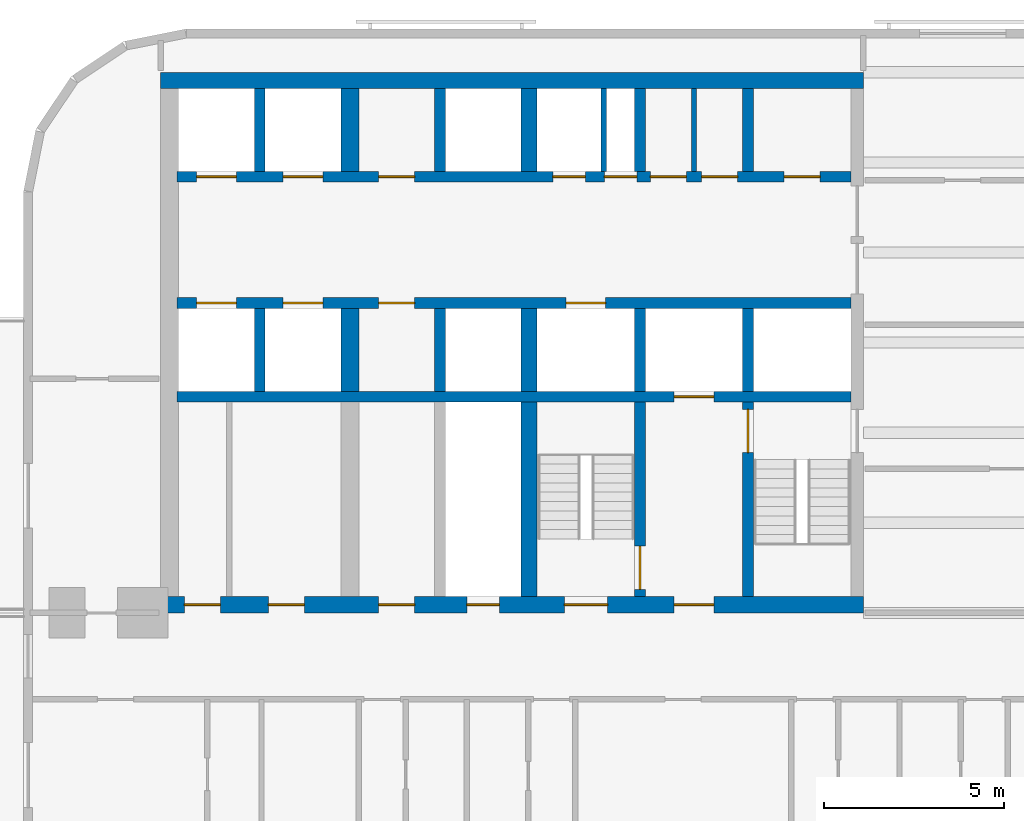
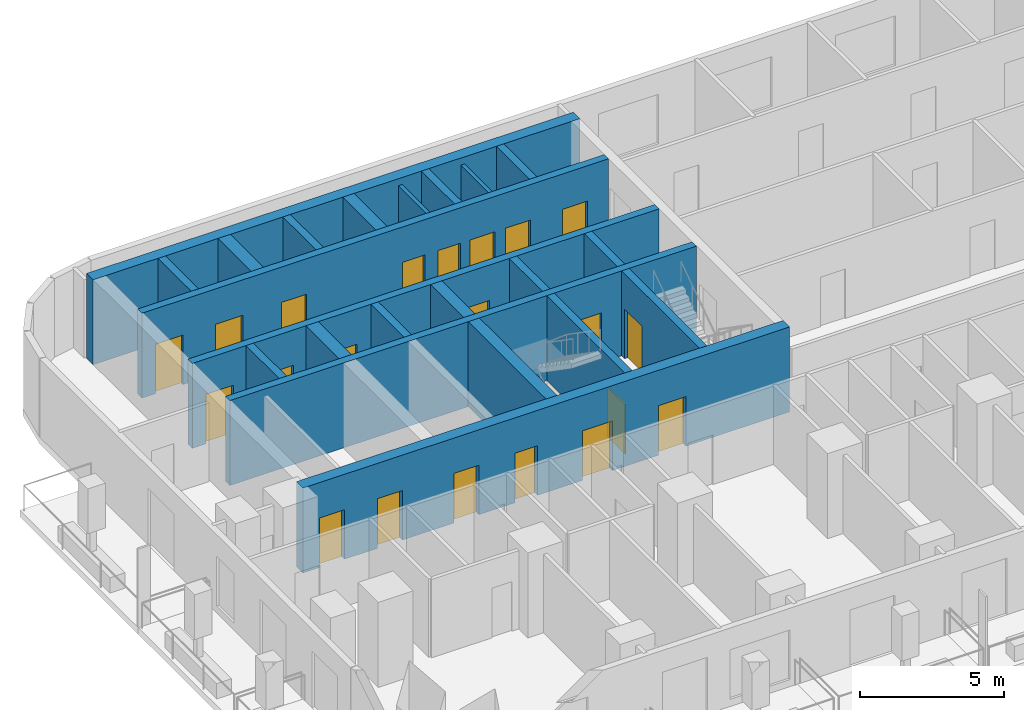
# One storey, part 3 of 13: 22 walls, 21 doors, 21 openings.
"""IFC4 building model written with IfcOpenShell, lengths in metres."""

from ifc_helpers import new_model, si_unit, direction, frame, frame_2d, origin, place, context, subcontext, project, spatial, rectangle, extrude, material, layer, layer_set, type_object, element, fill, save


model = new_model("IFC4")

# Units and contexts
model_context = context("Model", 3, precision=1e-05, world=origin(), true_north=direction((0.0, 1.0)))
body_context = subcontext(model_context, "Body", "Model", "MODEL_VIEW")
ifc_project = project(units=[si_unit("LENGTHUNIT", "METRE"), si_unit("AREAUNIT", "SQUARE_METRE"), si_unit("VOLUMEUNIT", "CUBIC_METRE"), si_unit("PLANEANGLEUNIT", "RADIAN"), si_unit("MASSUNIT", "GRAM", prefix="KILO")], contexts=[model_context])

# Site, building, storey
site_placement = place(None, origin())
site = spatial("IfcSite", under=ifc_project, at=site_placement, CompositionType="ELEMENT")
building_placement = place(site_placement, origin())
building = spatial("IfcBuilding", under=site, at=building_placement, Name="Torana Hotel and Residences", CompositionType="ELEMENT")
storey_placement = place(building_placement, frame((0.0, 0.0, 81.60009765625)))
storey = spatial("IfcBuildingStorey", under=building, at=storey_placement, Name="L20", CompositionType="ELEMENT", Elevation=81.60009765625)

# Wall, openings, doors
ifc_material_1 = material(Name="Concrete C80/95", Category="concrete")
ifc_layer_1 = layer(ifc_material_1, 0.300048828125)
ifc_layer_set_1 = layer_set([ifc_layer_1], Name="CORE WALL 300 C80/95")
wall_type_1 = type_object("IfcWallType", Name="CORE WALL 300 C80/95", PredefinedType="SHEAR", material=ifc_layer_set_1)
wall_1_placement = place(storey_placement, frame((-29.050048828125, -2.89990234375, 0.0), z_axis=(0.0, 0.0, 1.0), x_axis=(1.0, 0.0, 0.0)))
wall_1 = element("IfcWall", 1, at=wall_1_placement, inside=storey, type_object=wall_type_1, Name="Core wall W row-N", PredefinedType="SHEAR", context=body_context, shape_type="SweptSolid", body=[
    extrude(rectangle(XDim=18.699951171875, YDim=0.300048828125, at=frame_2d((9.35009765625, 0.0))), origin(), (0.0, 0.0, 1.0), 3.599853515625),
])
opening_1_placement = place(wall_1_placement, frame((2.949951171875, 0.0, 0.0)))
opening_1 = element("IfcOpeningElement", 2, at=opening_1_placement, cuts=wall_1, Name="Opening LD", PredefinedType="OPENING", context=body_context, shape_type="SweptSolid", body=[
    extrude(rectangle(XDim=1.10009765625, YDim=2.10009765625, at=frame_2d((0.550048828125, 1.050048828125))), frame((0.0, 0.159912109375, 0.0), z_axis=(0.0, -1.0, 0.0), x_axis=(1.0, 0.0, 0.0)), (0.0, 0.0, 1.0), 0.320068359375),
])
opening_2_placement = place(wall_1_placement, frame((0.550048828125, 0.0, 0.0)))
opening_2 = element("IfcOpeningElement", 3, at=opening_2_placement, cuts=wall_1, Name="Opening LD", PredefinedType="OPENING", context=body_context, shape_type="SweptSolid", body=[
    extrude(rectangle(XDim=1.10009765625, YDim=2.10009765625, at=frame_2d((0.550048828125, 1.050048828125))), frame((0.0, 0.159912109375, 0.0), z_axis=(0.0, -1.0, 0.0), x_axis=(1.0, 0.0, 0.0)), (0.0, 0.0, 1.0), 0.320068359375),
])
opening_3_placement = place(wall_1_placement, frame((11.862548828125, 0.0, 0.0)))
opening_3 = element("IfcOpeningElement", 4, at=opening_3_placement, cuts=wall_1, Name="Opening L20-10", PredefinedType="OPENING", context=body_context, shape_type="SweptSolid", body=[
    extrude(rectangle(XDim=0.89990234375, YDim=2.10009765625, at=frame_2d((0.449951171875, 1.050048828125))), frame((0.0, 0.159912109375, 0.0), z_axis=(0.0, -1.0, 0.0), x_axis=(1.0, 0.0, 0.0)), (0.0, 0.0, 1.0), 0.320068359375),
])
opening_4_placement = place(wall_1_placement, frame((10.4375, 0.0, 0.0)))
opening_4 = element("IfcOpeningElement", 5, at=opening_4_placement, cuts=wall_1, Name="Opening L20-11", PredefinedType="OPENING", context=body_context, shape_type="SweptSolid", body=[
    extrude(rectangle(XDim=0.89990234375, YDim=2.10009765625, at=frame_2d((0.449951171875, 1.050048828125))), frame((0.0, 0.159912109375, 0.0), z_axis=(0.0, -1.0, 0.0), x_axis=(1.0, 0.0, 0.0)), (0.0, 0.0, 1.0), 0.320068359375),
])
opening_5_placement = place(wall_1_placement, frame((16.85009765625, 0.0, 0.0)))
opening_5 = element("IfcOpeningElement", 6, at=opening_5_placement, cuts=wall_1, Name="Opening L20-12", PredefinedType="OPENING", context=body_context, shape_type="SweptSolid", body=[
    extrude(rectangle(XDim=1.0, YDim=2.10009765625, at=frame_2d((0.5, 1.050048828125))), frame((0.0, 0.159912109375, 0.0), z_axis=(0.0, -1.0, 0.0), x_axis=(1.0, 0.0, 0.0)), (0.0, 0.0, 1.0), 0.320068359375),
])
opening_6_placement = place(wall_1_placement, frame((14.5625, 0.0, 0.0)))
opening_6 = element("IfcOpeningElement", 7, at=opening_6_placement, cuts=wall_1, Name="Opening L20-13", PredefinedType="OPENING", context=body_context, shape_type="SweptSolid", body=[
    extrude(rectangle(XDim=1.0, YDim=2.10009765625, at=frame_2d((0.5, 1.050048828125))), frame((0.0, 0.159912109375, 0.0), z_axis=(0.0, -1.0, 0.0), x_axis=(1.0, 0.0, 0.0)), (0.0, 0.0, 1.0), 0.320068359375),
])
opening_7_placement = place(wall_1_placement, frame((13.137451171875, 0.0, 0.0)))
opening_7 = element("IfcOpeningElement", 8, at=opening_7_placement, cuts=wall_1, Name="Opening L20-14", PredefinedType="OPENING", context=body_context, shape_type="SweptSolid", body=[
    extrude(rectangle(XDim=1.0, YDim=2.10009765625, at=frame_2d((0.5, 1.050048828125))), frame((0.0, 0.159912109375, 0.0), z_axis=(0.0, -1.0, 0.0), x_axis=(1.0, 0.0, 0.0)), (0.0, 0.0, 1.0), 0.320068359375),
])
opening_8_placement = place(wall_1_placement, frame((5.60009765625, 0.0, 0.0)))
opening_8 = element("IfcOpeningElement", 9, at=opening_8_placement, cuts=wall_1, Name="Opening L20-15", PredefinedType="OPENING", context=body_context, shape_type="SweptSolid", body=[
    extrude(rectangle(XDim=1.0, YDim=2.10009765625, at=frame_2d((0.5, 1.050048828125))), frame((0.0, 0.159912109375, 0.0), z_axis=(0.0, -1.0, 0.0), x_axis=(1.0, 0.0, 0.0)), (0.0, 0.0, 1.0), 0.320068359375),
])
ifc_material_2 = material(Name="Steel S235", Category="steel")
door_type_1 = type_object("IfcDoorType", Name="CORE ROOM FIRE DOOR D14 1000x2100", OperationType="SINGLE_SWING_LEFT", PredefinedType="DOOR", material=ifc_material_2)
door_1_placement = place(opening_5_placement, origin())
door_1 = element("IfcDoor", 10, at=door_1_placement, inside=storey, type_object=door_type_1, Name="N0 door L20", OperationType="SINGLE_SWING_RIGHT", OverallHeight=2.10009765625, OverallWidth=1.0, PredefinedType="DOOR", context=body_context, shape_type="SweptSolid", body=[
    extrude(rectangle(XDim=1.0, YDim=2.10009765625, at=frame_2d((0.5, 1.050048828125))), frame((0.0, 0.02490234375, 0.0), z_axis=(0.0, -1.0, 0.0), x_axis=(1.0, 0.0, 0.0)), (0.0, 0.0, 1.0), 0.050048828125),
])
fill(opening_5, door_1)
door_2_placement = place(opening_6_placement, origin())
door_2 = element("IfcDoor", 11, at=door_2_placement, inside=storey, type_object=door_type_1, Name="N1A door L20", OperationType="SINGLE_SWING_RIGHT", OverallHeight=2.10009765625, OverallWidth=1.0, PredefinedType="DOOR", context=body_context, shape_type="SweptSolid", body=[
    extrude(rectangle(XDim=1.0, YDim=2.10009765625, at=frame_2d((0.5, 1.050048828125))), frame((0.0, 0.02490234375, 0.0), z_axis=(0.0, -1.0, 0.0), x_axis=(1.0, 0.0, 0.0)), (0.0, 0.0, 1.0), 0.050048828125),
])
fill(opening_6, door_2)
door_3_placement = place(opening_7_placement, origin())
door_3 = element("IfcDoor", 12, at=door_3_placement, inside=storey, type_object=door_type_1, Name="N1B door L20", OperationType="SINGLE_SWING_RIGHT", OverallHeight=2.10009765625, OverallWidth=1.0, PredefinedType="DOOR", context=body_context, shape_type="SweptSolid", body=[
    extrude(rectangle(XDim=1.0, YDim=2.10009765625, at=frame_2d((0.5, 1.050048828125))), frame((0.0, 0.02490234375, 0.0), z_axis=(0.0, -1.0, 0.0), x_axis=(1.0, 0.0, 0.0)), (0.0, 0.0, 1.0), 0.050048828125),
])
fill(opening_7, door_3)
door_4_placement = place(opening_8_placement, origin())
door_4 = element("IfcDoor", 13, at=door_4_placement, inside=storey, type_object=door_type_1, Name="Free-M1 door L20", OperationType="SINGLE_SWING_RIGHT", OverallHeight=2.10009765625, OverallWidth=1.0, PredefinedType="DOOR", context=body_context, shape_type="SweptSolid", body=[
    extrude(rectangle(XDim=1.0, YDim=2.10009765625, at=frame_2d((0.5, 1.050048828125))), frame((0.0, 0.02490234375, 0.0), z_axis=(0.0, -1.0, 0.0), x_axis=(1.0, 0.0, 0.0)), (0.0, 0.0, 1.0), 0.050048828125),
])
fill(opening_8, door_4)
ifc_material_3 = material(Name="Stainless steel 316", Category="steel")
door_type_2 = type_object("IfcDoorType", Name="LIFT LANDING DOOR LD 1100x2100", OperationType="DOUBLE_DOOR_SLIDING", PredefinedType="USERDEFINED", material=ifc_material_3)
door_5_placement = place(opening_1_placement, origin())
door_5 = element("IfcDoor", 14, at=door_5_placement, inside=storey, type_object=door_type_2, Name="Lift landing door L1 L20", ObjectType="LIFT LANDING DOOR", OperationType="DOUBLE_DOOR_SLIDING", OverallHeight=2.10009765625, OverallWidth=1.10009765625, PredefinedType="USERDEFINED", context=body_context, shape_type="SweptSolid", body=[
    extrude(rectangle(XDim=1.10009765625, YDim=2.10009765625, at=frame_2d((0.550048828125, 1.050048828125))), frame((0.0, 0.02490234375, 0.0), z_axis=(0.0, -1.0, 0.0), x_axis=(1.0, 0.0, 0.0)), (0.0, 0.0, 1.0), 0.050048828125),
])
fill(opening_1, door_5)
door_6_placement = place(opening_2_placement, origin())
door_6 = element("IfcDoor", 15, at=door_6_placement, inside=storey, type_object=door_type_2, Name="Lift landing door L2 L20", ObjectType="LIFT LANDING DOOR", OperationType="DOUBLE_DOOR_SLIDING", OverallHeight=2.10009765625, OverallWidth=1.10009765625, PredefinedType="USERDEFINED", context=body_context, shape_type="SweptSolid", body=[
    extrude(rectangle(XDim=1.10009765625, YDim=2.10009765625, at=frame_2d((0.550048828125, 1.050048828125))), frame((0.0, 0.02490234375, 0.0), z_axis=(0.0, -1.0, 0.0), x_axis=(1.0, 0.0, 0.0)), (0.0, 0.0, 1.0), 0.050048828125),
])
fill(opening_2, door_6)
ifc_material_4 = material(Name="Steel S235", Category="steel")
door_type_3 = type_object("IfcDoorType", Name="RISER ACCESS DOOR D5 900x2100", OperationType="SINGLE_SWING_LEFT", PredefinedType="DOOR", material=ifc_material_4)
door_7_placement = place(opening_3_placement, origin())
door_7 = element("IfcDoor", 16, at=door_7_placement, inside=storey, type_object=door_type_3, Name="N2A door L20", OperationType="SINGLE_SWING_LEFT", OverallHeight=2.10009765625, OverallWidth=0.89990234375, PredefinedType="DOOR", context=body_context, shape_type="SweptSolid", body=[
    extrude(rectangle(XDim=0.89990234375, YDim=2.10009765625, at=frame_2d((0.449951171875, 1.050048828125))), frame((0.0, 0.02490234375, 0.0), z_axis=(0.0, -1.0, 0.0), x_axis=(1.0, 0.0, 0.0)), (0.0, 0.0, 1.0), 0.050048828125),
])
fill(opening_3, door_7)
door_8_placement = place(opening_4_placement, origin())
door_8 = element("IfcDoor", 17, at=door_8_placement, inside=storey, type_object=door_type_3, Name="N2B door L20", OperationType="SINGLE_SWING_RIGHT", OverallHeight=2.10009765625, OverallWidth=0.89990234375, PredefinedType="DOOR", context=body_context, shape_type="SweptSolid", body=[
    extrude(rectangle(XDim=0.89990234375, YDim=2.10009765625, at=frame_2d((0.449951171875, 1.050048828125))), frame((0.0, 0.02490234375, 0.0), z_axis=(0.0, -1.0, 0.0), x_axis=(1.0, 0.0, 0.0)), (0.0, 0.0, 1.0), 0.050048828125),
])
fill(opening_4, door_8)

wall_2_placement = place(storey_placement, frame((-29.050048828125, -6.39990234375, 0.0), z_axis=(0.0, 0.0, 1.0), x_axis=(1.0, 0.0, 0.0)))
wall_2 = element("IfcWall", 18, at=wall_2_placement, inside=storey, type_object=wall_type_1, Name="Core wall W row-S", PredefinedType="SHEAR", context=body_context, shape_type="SweptSolid", body=[
    extrude(rectangle(XDim=18.699951171875, YDim=0.300048828125, at=frame_2d((9.35009765625, 0.0))), origin(), (0.0, 0.0, 1.0), 3.599853515625),
])
opening_9_placement = place(wall_2_placement, frame((2.949951171875, 0.0, 0.0)))
opening_9 = element("IfcOpeningElement", 19, at=opening_9_placement, cuts=wall_2, Name="Opening LD", PredefinedType="OPENING", context=body_context, shape_type="SweptSolid", body=[
    extrude(rectangle(XDim=1.10009765625, YDim=2.10009765625, at=frame_2d((0.550048828125, 1.050048828125))), frame((0.0, 0.159912109375, 0.0), z_axis=(0.0, -1.0, 0.0), x_axis=(1.0, 0.0, 0.0)), (0.0, 0.0, 1.0), 0.320068359375),
])
opening_10_placement = place(wall_2_placement, frame((0.550048828125, 0.0, 0.0)))
opening_10 = element("IfcOpeningElement", 20, at=opening_10_placement, cuts=wall_2, Name="Opening LD", PredefinedType="OPENING", context=body_context, shape_type="SweptSolid", body=[
    extrude(rectangle(XDim=1.10009765625, YDim=2.10009765625, at=frame_2d((0.550048828125, 1.050048828125))), frame((0.0, 0.159912109375, 0.0), z_axis=(0.0, -1.0, 0.0), x_axis=(1.0, 0.0, 0.0)), (0.0, 0.0, 1.0), 0.320068359375),
])
opening_11_placement = place(wall_2_placement, frame((10.800048828125, 0.0, 0.0)))
opening_11 = element("IfcOpeningElement", 21, at=opening_11_placement, cuts=wall_2, Name="Opening LD", PredefinedType="OPENING", context=body_context, shape_type="SweptSolid", body=[
    extrude(rectangle(XDim=1.10009765625, YDim=2.10009765625, at=frame_2d((0.550048828125, 1.050048828125))), frame((0.0, 0.159912109375, 0.0), z_axis=(0.0, -1.0, 0.0), x_axis=(1.0, 0.0, 0.0)), (0.0, 0.0, 1.0), 0.320068359375),
])
opening_12_placement = place(wall_2_placement, frame((5.60009765625, 0.0, 0.0)))
opening_12 = element("IfcOpeningElement", 22, at=opening_12_placement, cuts=wall_2, Name="Opening L20-16", PredefinedType="OPENING", context=body_context, shape_type="SweptSolid", body=[
    extrude(rectangle(XDim=1.0, YDim=2.10009765625, at=frame_2d((0.5, 1.050048828125))), frame((0.0, 0.159912109375, 0.0), z_axis=(0.0, -1.0, 0.0), x_axis=(1.0, 0.0, 0.0)), (0.0, 0.0, 1.0), 0.320068359375),
])
door_9_placement = place(opening_12_placement, frame((0.5, 0.0, 0.0), z_axis=(0.0, 0.0, 1.0), x_axis=(-1.0, 0.0, 0.0)))
door_9 = element("IfcDoor", 23, at=door_9_placement, inside=storey, type_object=door_type_1, Name="Free-M2 door L20", OperationType="SINGLE_SWING_LEFT", OverallHeight=2.10009765625, OverallWidth=1.0, PredefinedType="DOOR", context=body_context, shape_type="SweptSolid", body=[
    extrude(rectangle(XDim=1.0, YDim=2.10009765625, at=frame_2d((0.0, 1.050048828125))), frame((0.0, -0.02490234375, 0.0), z_axis=(0.0, 1.0, 0.0), x_axis=(-1.0, 0.0, 0.0)), (0.0, 0.0, 1.0), 0.050048828125),
])
fill(opening_12, door_9)
door_10_placement = place(opening_9_placement, origin())
door_10 = element("IfcDoor", 24, at=door_10_placement, inside=storey, type_object=door_type_2, Name="Lift landing door L3 L20", ObjectType="LIFT LANDING DOOR", OperationType="DOUBLE_DOOR_SLIDING", OverallHeight=2.10009765625, OverallWidth=1.10009765625, PredefinedType="USERDEFINED", context=body_context, shape_type="SweptSolid", body=[
    extrude(rectangle(XDim=1.10009765625, YDim=2.10009765625, at=frame_2d((0.550048828125, 1.050048828125))), frame((0.0, 0.02490234375, 0.0), z_axis=(0.0, -1.0, 0.0), x_axis=(1.0, 0.0, 0.0)), (0.0, 0.0, 1.0), 0.050048828125),
])
fill(opening_9, door_10)
door_11_placement = place(opening_10_placement, origin())
door_11 = element("IfcDoor", 25, at=door_11_placement, inside=storey, type_object=door_type_2, Name="Lift landing door L4 L20", ObjectType="LIFT LANDING DOOR", OperationType="DOUBLE_DOOR_SLIDING", OverallHeight=2.10009765625, OverallWidth=1.10009765625, PredefinedType="USERDEFINED", context=body_context, shape_type="SweptSolid", body=[
    extrude(rectangle(XDim=1.10009765625, YDim=2.10009765625, at=frame_2d((0.550048828125, 1.050048828125))), frame((0.0, 0.02490234375, 0.0), z_axis=(0.0, -1.0, 0.0), x_axis=(1.0, 0.0, 0.0)), (0.0, 0.0, 1.0), 0.050048828125),
])
fill(opening_10, door_11)
door_12_placement = place(opening_11_placement, origin())
door_12 = element("IfcDoor", 26, at=door_12_placement, inside=storey, type_object=door_type_2, Name="Lift landing door SV1 L20", ObjectType="LIFT LANDING DOOR", OperationType="DOUBLE_DOOR_SLIDING", OverallHeight=2.10009765625, OverallWidth=1.10009765625, PredefinedType="USERDEFINED", context=body_context, shape_type="SweptSolid", body=[
    extrude(rectangle(XDim=1.10009765625, YDim=2.10009765625, at=frame_2d((0.550048828125, 1.050048828125))), frame((0.0, 0.02490234375, 0.0), z_axis=(0.0, -1.0, 0.0), x_axis=(1.0, 0.0, 0.0)), (0.0, 0.0, 1.0), 0.050048828125),
])
fill(opening_11, door_12)

# Wall, opening, door
wall_3_placement = place(storey_placement, frame((-29.050048828125, -9.0, 0.0), z_axis=(0.0, 0.0, 1.0), x_axis=(1.0, 0.0, 0.0)))
wall_3 = element("IfcWall", 27, at=wall_3_placement, inside=storey, type_object=wall_type_1, Name="Core wall W band", PredefinedType="SHEAR", context=body_context, shape_type="SweptSolid", body=[
    extrude(rectangle(XDim=18.699951171875, YDim=0.300048828125, at=frame_2d((9.35009765625, 0.0))), origin(), (0.0, 0.0, 1.0), 3.599853515625),
])
opening_13_placement = place(wall_3_placement, frame((13.800048828125, 0.0, 0.0)))
opening_13 = element("IfcOpeningElement", 28, at=opening_13_placement, cuts=wall_3, Name="Opening LD", PredefinedType="OPENING", context=body_context, shape_type="SweptSolid", body=[
    extrude(rectangle(XDim=1.10009765625, YDim=2.10009765625, at=frame_2d((0.550048828125, 1.050048828125))), frame((0.0, 0.159912109375, 0.0), z_axis=(0.0, -1.0, 0.0), x_axis=(1.0, 0.0, 0.0)), (0.0, 0.0, 1.0), 0.320068359375),
])
door_13_placement = place(opening_13_placement, origin())
door_13 = element("IfcDoor", 29, at=door_13_placement, inside=storey, type_object=door_type_2, Name="Lift landing door FF1 L20", ObjectType="LIFT LANDING DOOR", OperationType="DOUBLE_DOOR_SLIDING", OverallHeight=2.10009765625, OverallWidth=1.10009765625, PredefinedType="USERDEFINED", context=body_context, shape_type="SweptSolid", body=[
    extrude(rectangle(XDim=1.10009765625, YDim=2.10009765625, at=frame_2d((0.550048828125, 1.050048828125))), frame((0.0, 0.02490234375, 0.0), z_axis=(0.0, -1.0, 0.0), x_axis=(1.0, 0.0, 0.0)), (0.0, 0.0, 1.0), 0.050048828125),
])
fill(opening_13, door_13)

# Walls
for number, where, z_axis, x_axis, name in (
    (30, (-13.199951171875, -2.75, 0.0), (0.0, 0.0, 1.0), (0.0, 1.0, 0.0), "Core wall W x3.05-N"),
    (31, (-13.199951171875, -8.85009765625, 0.0), (0.0, 0.0, 1.0), (0.0, 1.0, 0.0), "Core wall W x3.05-S"),
):
    element("IfcWall", number, at=place(storey_placement, frame(where, z_axis=z_axis, x_axis=x_axis)), inside=storey, type_object=wall_type_1, Name=name, PredefinedType="SHEAR", context=body_context, shape_type="SweptSolid", body=[
        extrude(rectangle(XDim=2.300048828125, YDim=0.300048828125, at=frame_2d((1.14990234375, 0.0))), origin(), (0.0, 0.0, 1.0), 3.599853515625),
    ])

# Wall, opening, door
wall_4_placement = place(storey_placement, frame((-13.199951171875, -14.550048828125, 0.0), z_axis=(0.0, 0.0, 1.0), x_axis=(0.0, 1.0, 0.0)))
wall_4 = element("IfcWall", 32, at=wall_4_placement, inside=storey, type_object=wall_type_1, Name="Core wall W x3.05-band", PredefinedType="SHEAR", context=body_context, shape_type="SweptSolid", body=[
    extrude(rectangle(XDim=5.400146484375, YDim=0.300048828125, at=frame_2d((2.7001953125, 0.0))), origin(), (0.0, 0.0, 1.0), 3.599853515625),
])
opening_14_placement = place(wall_4_placement, frame((4.0, 0.0, 0.0)))
opening_14 = element("IfcOpeningElement", 33, at=opening_14_placement, cuts=wall_4, Name="Opening L20-17", PredefinedType="OPENING", context=body_context, shape_type="SweptSolid", body=[
    extrude(rectangle(XDim=1.199951171875, YDim=2.10009765625, at=frame_2d((0.60009765625, 1.050048828125))), frame((0.0, 0.159912109375, 0.0), z_axis=(0.0, -1.0, 0.0), x_axis=(1.0, 0.0, 0.0)), (0.0, 0.0, 1.0), 0.320068359375),
])
ifc_material_5 = material(Name="Steel S235", Category="steel")
door_type_4 = type_object("IfcDoorType", Name="STAIR FIRE DOOR D3 1200x2100", OperationType="SINGLE_SWING_LEFT", PredefinedType="DOOR", material=ifc_material_5)
door_14_placement = place(opening_14_placement, frame((0.60009765625, 0.0, 0.0), z_axis=(0.0, 0.0, 1.0), x_axis=(-1.0, 0.0, 0.0)))
door_14 = element("IfcDoor", 34, at=door_14_placement, inside=storey, type_object=door_type_4, Name="Stair-A-lobby door L20", OperationType="SINGLE_SWING_RIGHT", OverallHeight=2.10009765625, OverallWidth=1.199951171875, PredefinedType="DOOR", context=body_context, shape_type="SweptSolid", body=[
    extrude(rectangle(XDim=1.199951171875, YDim=2.10009765625, at=frame_2d((0.0, 1.050048828125))), frame((0.0, -0.02490234375, 0.0), z_axis=(0.0, 1.0, 0.0), x_axis=(-1.0, 0.0, 0.0)), (0.0, 0.0, 1.0), 0.050048828125),
])
fill(opening_14, door_14)

# Walls
for number, where, z_axis, x_axis, name in (
    (35, (-16.199951171875, -2.75, 0.0), (0.0, 0.0, 1.0), (0.0, 1.0, 0.0), "Core wall W x6.05-N"),
    (36, (-16.199951171875, -8.85009765625, 0.0), (0.0, 0.0, 1.0), (0.0, 1.0, 0.0), "Core wall W x6.05-S"),
):
    element("IfcWall", number, at=place(storey_placement, frame(where, z_axis=z_axis, x_axis=x_axis)), inside=storey, type_object=wall_type_1, Name=name, PredefinedType="SHEAR", context=body_context, shape_type="SweptSolid", body=[
        extrude(rectangle(XDim=2.300048828125, YDim=0.300048828125, at=frame_2d((1.14990234375, 0.0))), origin(), (0.0, 0.0, 1.0), 3.599853515625),
    ])

# Wall, opening, door
wall_5_placement = place(storey_placement, frame((-16.199951171875, -14.550048828125, 0.0), z_axis=(0.0, 0.0, 1.0), x_axis=(0.0, 1.0, 0.0)))
wall_5 = element("IfcWall", 37, at=wall_5_placement, inside=storey, type_object=wall_type_1, Name="Core wall W x6.05-band", PredefinedType="SHEAR", context=body_context, shape_type="SweptSolid", body=[
    extrude(rectangle(XDim=5.400146484375, YDim=0.300048828125, at=frame_2d((2.7001953125, 0.0))), origin(), (0.0, 0.0, 1.0), 3.599853515625),
])
opening_15_placement = place(wall_5_placement, frame((0.199951171875, 0.0, 0.0)))
opening_15 = element("IfcOpeningElement", 38, at=opening_15_placement, cuts=wall_5, Name="Opening L20-18", PredefinedType="OPENING", context=body_context, shape_type="SweptSolid", body=[
    extrude(rectangle(XDim=1.199951171875, YDim=2.10009765625, at=frame_2d((0.60009765625, 1.050048828125))), frame((0.0, 0.159912109375, 0.0), z_axis=(0.0, -1.0, 0.0), x_axis=(1.0, 0.0, 0.0)), (0.0, 0.0, 1.0), 0.320068359375),
])
door_15_placement = place(opening_15_placement, origin())
door_15 = element("IfcDoor", 39, at=door_15_placement, inside=storey, type_object=door_type_4, Name="Stair-B-lobby door L20", OperationType="SINGLE_SWING_RIGHT", OverallHeight=2.10009765625, OverallWidth=1.199951171875, PredefinedType="DOOR", context=body_context, shape_type="SweptSolid", body=[
    extrude(rectangle(XDim=1.199951171875, YDim=2.10009765625, at=frame_2d((0.60009765625, 1.050048828125))), frame((0.0, 0.02490234375, 0.0), z_axis=(0.0, -1.0, 0.0), x_axis=(1.0, 0.0, 0.0)), (0.0, 0.0, 1.0), 0.050048828125),
])
fill(opening_15, door_15)

# Walls
for number, where, z_axis, x_axis, name in (
    (40, (-21.75, -2.75, 0.0), (0.0, 0.0, 1.0), (0.0, 1.0, 0.0), "Core wall W mm-N"),
    (41, (-21.75, -8.85009765625, 0.0), (0.0, 0.0, 1.0), (0.0, 1.0, 0.0), "Core wall W mm-S"),
    (42, (-26.75, -2.75, 0.0), (0.0, 0.0, 1.0), (0.0, 1.0, 0.0), "Core wall W ll-N"),
    (43, (-26.75, -8.85009765625, 0.0), (0.0, 0.0, 1.0), (0.0, 1.0, 0.0), "Core wall W ll-S"),
):
    element("IfcWall", number, at=place(storey_placement, frame(where, z_axis=z_axis, x_axis=x_axis)), inside=storey, type_object=wall_type_1, Name=name, PredefinedType="SHEAR", context=body_context, shape_type="SweptSolid", body=[
        extrude(rectangle(XDim=2.300048828125, YDim=0.300048828125, at=frame_2d((1.14990234375, 0.0))), origin(), (0.0, 0.0, 1.0), 3.599853515625),
    ])
ifc_material_6 = material(Name="Concrete C80/95", Category="concrete")
ifc_layer_2 = layer(ifc_material_6, 0.449951171875)
ifc_layer_set_2 = layer_set([ifc_layer_2], Name="CORE WALL 450 C80/95")
wall_type_2 = type_object("IfcWallType", Name="CORE WALL 450 C80/95", PredefinedType="SHEAR", material=ifc_layer_set_2)
wall_6_placement = place(storey_placement, frame((-29.5, -0.22509765625, 0.0), z_axis=(0.0, 0.0, 1.0), x_axis=(1.0, 0.0, 0.0)))
element("IfcWall", 44, at=wall_6_placement, inside=storey, type_object=wall_type_2, Name="Core wall W rear", PredefinedType="SHEAR", context=body_context, shape_type="SweptSolid", body=[
    extrude(rectangle(XDim=19.5, YDim=0.449951171875, at=frame_2d((9.75, 0.0))), origin(), (0.0, 0.0, 1.0), 3.599853515625),
])

# Wall, openings, doors
wall_7_placement = place(storey_placement, frame((-29.5, -14.77490234375, 0.0), z_axis=(0.0, 0.0, 1.0), x_axis=(1.0, 0.0, 0.0)))
wall_7 = element("IfcWall", 45, at=wall_7_placement, inside=storey, type_object=wall_type_2, Name="Core wall W front", PredefinedType="SHEAR", context=body_context, shape_type="SweptSolid", body=[
    extrude(rectangle(XDim=19.5, YDim=0.449951171875, at=frame_2d((9.75, 0.0))), origin(), (0.0, 0.0, 1.0), 3.599853515625),
])
opening_16_placement = place(wall_7_placement, frame((11.199951171875, 0.0, 0.0)))
opening_16 = element("IfcOpeningElement", 46, at=opening_16_placement, cuts=wall_7, Name="Opening L20-04", PredefinedType="OPENING", context=body_context, shape_type="SweptSolid", body=[
    extrude(rectangle(XDim=1.199951171875, YDim=2.10009765625, at=frame_2d((0.60009765625, 1.050048828125))), frame((0.0, 0.23486328125, 0.0), z_axis=(0.0, -1.0, 0.0), x_axis=(1.0, 0.0, 0.0)), (0.0, 0.0, 1.0), 0.469970703125),
])
opening_17_placement = place(wall_7_placement, frame((14.25, 0.0, 0.0)))
opening_17 = element("IfcOpeningElement", 47, at=opening_17_placement, cuts=wall_7, Name="Opening L20-05", PredefinedType="OPENING", context=body_context, shape_type="SweptSolid", body=[
    extrude(rectangle(XDim=1.10009765625, YDim=2.10009765625, at=frame_2d((0.550048828125, 1.050048828125))), frame((0.0, 0.23486328125, 0.0), z_axis=(0.0, -1.0, 0.0), x_axis=(1.0, 0.0, 0.0)), (0.0, 0.0, 1.0), 0.469970703125),
])
opening_18_placement = place(wall_7_placement, frame((8.5, 0.0, 0.0)))
opening_18 = element("IfcOpeningElement", 48, at=opening_18_placement, cuts=wall_7, Name="Opening L20-06", PredefinedType="OPENING", context=body_context, shape_type="SweptSolid", body=[
    extrude(rectangle(XDim=0.89990234375, YDim=2.10009765625, at=frame_2d((0.449951171875, 1.050048828125))), frame((0.0, 0.23486328125, 0.0), z_axis=(0.0, -1.0, 0.0), x_axis=(1.0, 0.0, 0.0)), (0.0, 0.0, 1.0), 0.469970703125),
])
opening_19_placement = place(wall_7_placement, frame((6.050048828125, 0.0, 0.0)))
opening_19 = element("IfcOpeningElement", 49, at=opening_19_placement, cuts=wall_7, Name="Opening L20-07", PredefinedType="OPENING", context=body_context, shape_type="SweptSolid", body=[
    extrude(rectangle(XDim=1.0, YDim=2.10009765625, at=frame_2d((0.5, 1.050048828125))), frame((0.0, 0.23486328125, 0.0), z_axis=(0.0, -1.0, 0.0), x_axis=(1.0, 0.0, 0.0)), (0.0, 0.0, 1.0), 0.469970703125),
])
opening_20_placement = place(wall_7_placement, frame((2.987548828125, 0.0, 0.0)))
opening_20 = element("IfcOpeningElement", 50, at=opening_20_placement, cuts=wall_7, Name="Opening L20-08", PredefinedType="OPENING", context=body_context, shape_type="SweptSolid", body=[
    extrude(rectangle(XDim=1.0, YDim=2.10009765625, at=frame_2d((0.5, 1.050048828125))), frame((0.0, 0.23486328125, 0.0), z_axis=(0.0, -1.0, 0.0), x_axis=(1.0, 0.0, 0.0)), (0.0, 0.0, 1.0), 0.469970703125),
])
opening_21_placement = place(wall_7_placement, frame((0.66259765625, 0.0, 0.0)))
opening_21 = element("IfcOpeningElement", 51, at=opening_21_placement, cuts=wall_7, Name="Opening L20-09", PredefinedType="OPENING", context=body_context, shape_type="SweptSolid", body=[
    extrude(rectangle(XDim=1.0, YDim=2.10009765625, at=frame_2d((0.5, 1.050048828125))), frame((0.0, 0.23486328125, 0.0), z_axis=(0.0, -1.0, 0.0), x_axis=(1.0, 0.0, 0.0)), (0.0, 0.0, 1.0), 0.469970703125),
])
door_16_placement = place(opening_19_placement, origin())
door_16 = element("IfcDoor", 52, at=door_16_placement, inside=storey, type_object=door_type_1, Name="M-Room door L20", OperationType="SINGLE_SWING_RIGHT", OverallHeight=2.10009765625, OverallWidth=1.0, PredefinedType="DOOR", context=body_context, shape_type="SweptSolid", body=[
    extrude(rectangle(XDim=1.0, YDim=2.10009765625, at=frame_2d((0.5, 1.050048828125))), frame((0.0, 0.02490234375, 0.0), z_axis=(0.0, -1.0, 0.0), x_axis=(1.0, 0.0, 0.0)), (0.0, 0.0, 1.0), 0.050048828125),
])
fill(opening_19, door_16)
door_17_placement = place(opening_20_placement, origin())
door_17 = element("IfcDoor", 53, at=door_17_placement, inside=storey, type_object=door_type_1, Name="L-A door L20", OperationType="SINGLE_SWING_RIGHT", OverallHeight=2.10009765625, OverallWidth=1.0, PredefinedType="DOOR", context=body_context, shape_type="SweptSolid", body=[
    extrude(rectangle(XDim=1.0, YDim=2.10009765625, at=frame_2d((0.5, 1.050048828125))), frame((0.0, 0.02490234375, 0.0), z_axis=(0.0, -1.0, 0.0), x_axis=(1.0, 0.0, 0.0)), (0.0, 0.0, 1.0), 0.050048828125),
])
fill(opening_20, door_17)
door_18_placement = place(opening_21_placement, origin())
door_18 = element("IfcDoor", 54, at=door_18_placement, inside=storey, type_object=door_type_1, Name="L-B door L20", OperationType="SINGLE_SWING_RIGHT", OverallHeight=2.10009765625, OverallWidth=1.0, PredefinedType="DOOR", context=body_context, shape_type="SweptSolid", body=[
    extrude(rectangle(XDim=1.0, YDim=2.10009765625, at=frame_2d((0.5, 1.050048828125))), frame((0.0, 0.02490234375, 0.0), z_axis=(0.0, -1.0, 0.0), x_axis=(1.0, 0.0, 0.0)), (0.0, 0.0, 1.0), 0.050048828125),
])
fill(opening_21, door_18)
ifc_material_7 = material(Name="Steel S235", Category="steel")
door_type_5 = type_object("IfcDoorType", Name="FIRE-FIGHTING LOBBY DOOR D8 1100x2100", OperationType="SINGLE_SWING_LEFT", PredefinedType="DOOR", material=ifc_material_7)
door_19_placement = place(opening_17_placement, origin())
door_19 = element("IfcDoor", 55, at=door_19_placement, inside=storey, type_object=door_type_5, Name="FF-lobby door L20", OperationType="SINGLE_SWING_RIGHT", OverallHeight=2.10009765625, OverallWidth=1.10009765625, PredefinedType="DOOR", context=body_context, shape_type="SweptSolid", body=[
    extrude(rectangle(XDim=1.10009765625, YDim=2.10009765625, at=frame_2d((0.550048828125, 1.050048828125))), frame((0.0, 0.02490234375, 0.0), z_axis=(0.0, -1.0, 0.0), x_axis=(1.0, 0.0, 0.0)), (0.0, 0.0, 1.0), 0.050048828125),
])
fill(opening_17, door_19)
door_20_placement = place(opening_18_placement, origin())
door_20 = element("IfcDoor", 56, at=door_20_placement, inside=storey, type_object=door_type_3, Name="M-Riser door L20", OperationType="SINGLE_SWING_RIGHT", OverallHeight=2.10009765625, OverallWidth=0.89990234375, PredefinedType="DOOR", context=body_context, shape_type="SweptSolid", body=[
    extrude(rectangle(XDim=0.89990234375, YDim=2.10009765625, at=frame_2d((0.449951171875, 1.050048828125))), frame((0.0, 0.02490234375, 0.0), z_axis=(0.0, -1.0, 0.0), x_axis=(1.0, 0.0, 0.0)), (0.0, 0.0, 1.0), 0.050048828125),
])
fill(opening_18, door_20)
door_21_placement = place(opening_16_placement, origin())
door_21 = element("IfcDoor", 57, at=door_21_placement, inside=storey, type_object=door_type_4, Name="Stair-B door L20", OperationType="SINGLE_SWING_RIGHT", OverallHeight=2.10009765625, OverallWidth=1.199951171875, PredefinedType="DOOR", context=body_context, shape_type="SweptSolid", body=[
    extrude(rectangle(XDim=1.199951171875, YDim=2.10009765625, at=frame_2d((0.60009765625, 1.050048828125))), frame((0.0, 0.02490234375, 0.0), z_axis=(0.0, -1.0, 0.0), x_axis=(1.0, 0.0, 0.0)), (0.0, 0.0, 1.0), 0.050048828125),
])
fill(opening_16, door_21)

# Walls
for number, where, z_axis, x_axis, name in (
    (58, (-19.27490234375, -2.75, 0.0), (0.0, 0.0, 1.0), (0.0, 1.0, 0.0), "Core wall W hm-N"),
    (59, (-19.27490234375, -8.85009765625, 0.0), (0.0, 0.0, 1.0), (0.0, 1.0, 0.0), "Core wall W hm-S"),
):
    element("IfcWall", number, at=place(storey_placement, frame(where, z_axis=z_axis, x_axis=x_axis)), inside=storey, type_object=wall_type_2, Name=name, PredefinedType="SHEAR", context=body_context, shape_type="SweptSolid", body=[
        extrude(rectangle(XDim=2.300048828125, YDim=0.449951171875, at=frame_2d((1.14990234375, 0.0))), origin(), (0.0, 0.0, 1.0), 3.599853515625),
    ])
wall_8_placement = place(storey_placement, frame((-19.27490234375, -14.550048828125, 0.0), z_axis=(0.0, 0.0, 1.0), x_axis=(0.0, 1.0, 0.0)))
element("IfcWall", 60, at=wall_8_placement, inside=storey, type_object=wall_type_2, Name="Core wall W hm-band", PredefinedType="SHEAR", context=body_context, shape_type="SweptSolid", body=[
    extrude(rectangle(XDim=5.400146484375, YDim=0.449951171875, at=frame_2d((2.7001953125, 0.0))), origin(), (0.0, 0.0, 1.0), 3.599853515625),
])
ifc_material_8 = material(Name="Concrete C80/95", Category="concrete")
ifc_layer_3 = layer(ifc_material_8, 0.5)
ifc_layer_set_3 = layer_set([ifc_layer_3], Name="CORE WALL 500 C80/95")
wall_type_3 = type_object("IfcWallType", Name="CORE WALL 500 C80/95", PredefinedType="SHEAR", material=ifc_layer_set_3)
for number, where, z_axis, x_axis, name in (
    (61, (-24.25, -2.75, 0.0), (0.0, 0.0, 1.0), (0.0, 1.0, 0.0), "Core wall W ml-N"),
    (62, (-24.25, -8.85009765625, 0.0), (0.0, 0.0, 1.0), (0.0, 1.0, 0.0), "Core wall W ml-S"),
):
    element("IfcWall", number, at=place(storey_placement, frame(where, z_axis=z_axis, x_axis=x_axis)), inside=storey, type_object=wall_type_3, Name=name, PredefinedType="SHEAR", context=body_context, shape_type="SweptSolid", body=[
        extrude(rectangle(XDim=2.300048828125, YDim=0.5, at=frame_2d((1.14990234375, 0.0))), origin(), (0.0, 0.0, 1.0), 3.599853515625),
    ])
ifc_material_9 = material(Name="Gypsum plaster")
ifc_layer_4 = layer(ifc_material_9, 0.014892578125, Name="Plaster", Category="finish")
ifc_material_10 = material(Name="Concrete blockwork", Category="masonry")
ifc_layer_5 = layer(ifc_material_10, 0.1201171875, Name="Blockwork", Category="structure")
ifc_layer_6 = layer(ifc_material_9, 0.014892578125, Name="Plaster", Category="finish")
ifc_layer_set_4 = layer_set([ifc_layer_4, ifc_layer_5, ifc_layer_6], Name="FIRE PARTITION 150 BLOCKWORK")
wall_type_4 = type_object("IfcWallType", Name="FIRE PARTITION 150 BLOCKWORK", PredefinedType="PARTITIONING", material=ifc_layer_set_4)
for number, where, z_axis, x_axis, name in (
    (63, (-17.199951171875, -2.75, 0.0), (0.0, 0.0, 1.0), (0.0, 1.0, 0.0), "Core partition L20"),
    (64, (-14.699951171875, -2.75, 0.0), (0.0, 0.0, 1.0), (0.0, 1.0, 0.0), "Core partition L20"),
):
    element("IfcWall", number, at=place(storey_placement, frame(where, z_axis=z_axis, x_axis=x_axis)), inside=storey, type_object=wall_type_4, Name=name, PredefinedType="PARTITIONING", context=body_context, shape_type="SweptSolid", body=[
        extrude(rectangle(XDim=2.300048828125, YDim=0.14990234375, at=frame_2d((1.14990234375, 0.0))), origin(), (0.0, 0.0, 1.0), 3.2998046875),
    ])

save(model, "model.ifc")
